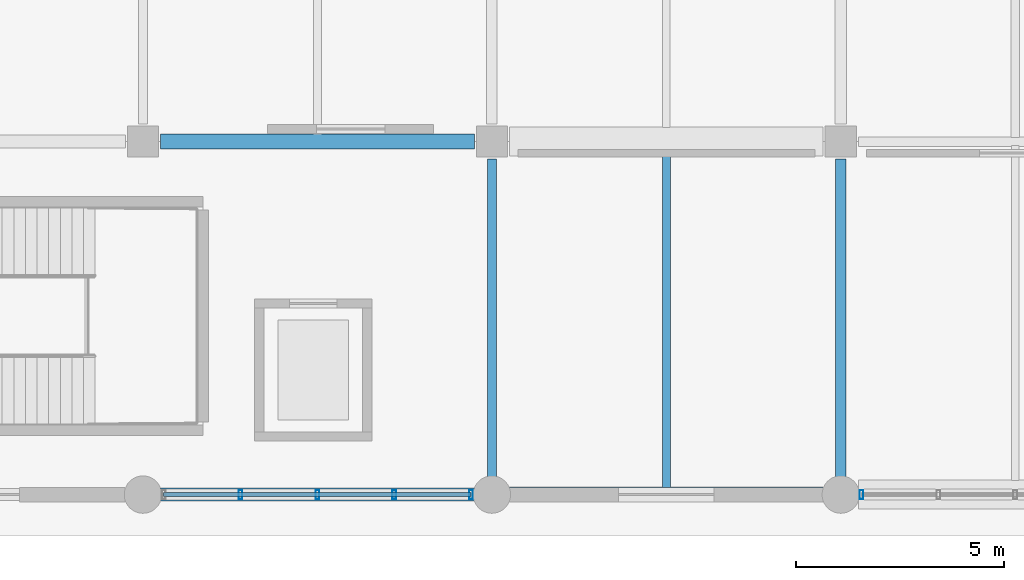
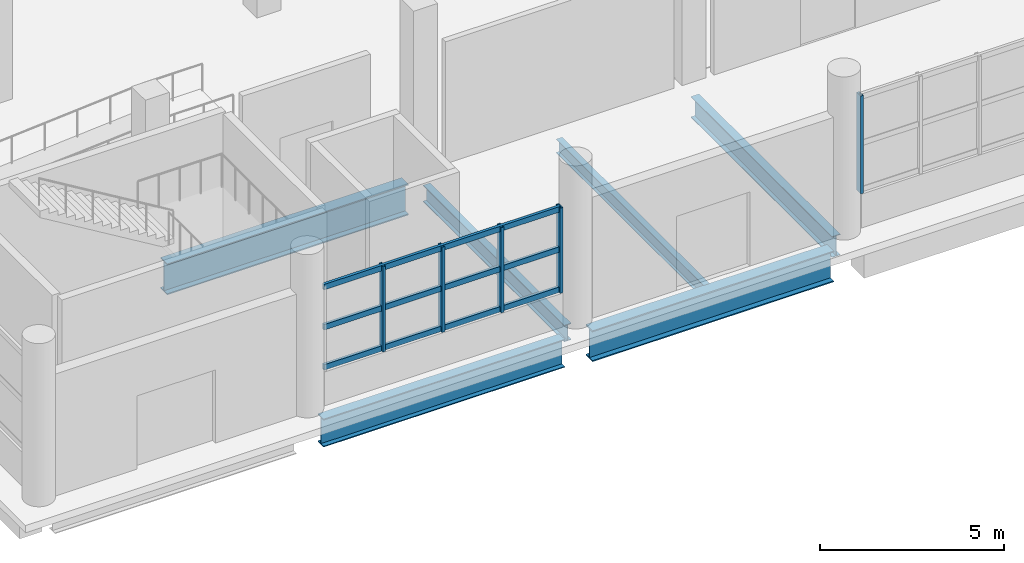
# One storey, part 47 of 107: 8 members, 6 beams, 2 elements without a shape of their own.
"""IFC4 building model written with IfcOpenShell, lengths in metres."""

from ifc_helpers import new_model, si_unit, direction, frame, origin, origin_2d, place, context, subcontext, project, spatial, hollow_rectangle, i_section, extrude, material, material_profile, profile_set, type_object, element, aggregate, save


model = new_model("IFC4")

# Units and contexts
model_context = context("Model", 3, precision=1e-05, world=origin(), true_north=direction((0.0, 1.0)))
body_context = subcontext(model_context, "Body", "Model", "MODEL_VIEW")
ifc_project = project(units=[si_unit("LENGTHUNIT", "METRE"), si_unit("AREAUNIT", "SQUARE_METRE"), si_unit("VOLUMEUNIT", "CUBIC_METRE"), si_unit("PLANEANGLEUNIT", "RADIAN"), si_unit("MASSUNIT", "GRAM", prefix="KILO")], contexts=[model_context])

# Site, building, storey
site_placement = place(None, origin())
site = spatial("IfcSite", under=ifc_project, at=site_placement, CompositionType="ELEMENT")
building_placement = place(site_placement, origin())
building = spatial("IfcBuilding", under=site, at=building_placement, Name="Solvento Point Concert Hall", CompositionType="ELEMENT")
storey_placement = place(building_placement, origin())
storey = spatial("IfcBuildingStorey", under=building, at=storey_placement, Name="L00", CompositionType="ELEMENT", Elevation=0.0)

# Beams
ifc_material_1 = material(Name="Structural Steel ASTM A992 Grade 50", Category="steel")
ifc_material_profile_1 = material_profile(ifc_material_1, i_section(OverallWidth=0.214111328125, OverallDepth=0.549072265625, WebThickness=0.0146484375, FlangeThickness=0.023681640625, at=origin_2d()), Name="W21X93")
ifc_profile_set_1 = profile_set([ifc_material_profile_1], Name="Structural Steel ASTM A992 Grade 50")
beam_type_1 = type_object("IfcBeamType", Name="Beam_W21X93", PredefinedType="BEAM", material=ifc_profile_set_1)
beam_1_placement = place(storey_placement, frame((166.800048828125, 0.424072265625, -0.6884765625), z_axis=(0.0, 1.0, 0.0), x_axis=(-1.0, 0.0, 0.0)))
element("IfcBeam", 1, at=beam_1_placement, inside=storey, type_object=beam_type_1, Name="Primary girder B-48 L00", PredefinedType="BEAM", context=body_context, shape_type="SweptSolid", body=[
    extrude(i_section(OverallWidth=0.214111328125, OverallDepth=0.549072265625, WebThickness=0.0146484375, FlangeThickness=0.023681640625, at=origin_2d()), origin(), (0.0, 0.0, 1.0), 7.65185546875),
])
ifc_material_2 = material(Name="Structural Steel ASTM A992 Grade 50", Category="steel")
ifc_material_profile_2 = material_profile(ifc_material_2, i_section(OverallWidth=0.256103515625, OverallDepth=0.693115234375, WebThickness=0.014404296875, FlangeThickness=0.023681640625, at=origin_2d()), Name="W27X114")
ifc_profile_set_2 = profile_set([ifc_material_profile_2], Name="Structural Steel ASTM A992 Grade 50")
beam_type_2 = type_object("IfcBeamType", Name="Girder_W27X114", PredefinedType="USERDEFINED", material=ifc_profile_set_2)
beam_2_placement = place(storey_placement, frame((175.199951171875, 0.424072265625, -0.760498046875), z_axis=(0.0, 1.0, 0.0), x_axis=(-1.0, 0.0, 0.0)))
element("IfcBeam", 2, at=beam_2_placement, inside=storey, type_object=beam_type_2, Name="Primary girder B-23 L00", ObjectType="GIRDER", PredefinedType="USERDEFINED", context=body_context, shape_type="SweptSolid", body=[
    extrude(i_section(OverallWidth=0.256103515625, OverallDepth=0.693115234375, WebThickness=0.014404296875, FlangeThickness=0.023681640625, at=origin_2d()), origin(), (0.0, 0.0, 1.0), 7.65185546875),
])
ifc_material_3 = material(Name="Structural Steel ASTM A992 Grade 50", Category="steel")
ifc_material_profile_3 = material_profile(ifc_material_3, i_section(OverallWidth=0.3076171875, OverallDepth=0.927001953125, WebThickness=0.019287109375, FlangeThickness=0.031982421875, at=origin_2d()), Name="W36X194")
ifc_profile_set_3 = profile_set([ifc_material_profile_3], Name="Structural Steel ASTM A992 Grade 50")
beam_type_3 = type_object("IfcBeamType", Name="Girder_W36X194", PredefinedType="USERDEFINED", material=ifc_profile_set_3)
beam_3_placement = place(storey_placement, frame((158.823974609375, 0.0, -0.87744140625), z_axis=(1.0, 0.0, 0.0), x_axis=(0.0, 1.0, 0.0)))
element("IfcBeam", 3, at=beam_3_placement, inside=storey, type_object=beam_type_3, Name="Primary girder B-61 L00", ObjectType="GIRDER", PredefinedType="USERDEFINED", context=body_context, shape_type="SweptSolid", body=[
    extrude(i_section(OverallWidth=0.3076171875, OverallDepth=0.927001953125, WebThickness=0.019287109375, FlangeThickness=0.031982421875, at=origin_2d()), origin(), (0.0, 0.0, 1.0), 7.552001953125),
])
ifc_material_4 = material(Name="Structural Steel ASTM A992 Grade 50", Category="steel")
ifc_material_profile_4 = material_profile(ifc_material_4, i_section(OverallWidth=0.361083984375, OverallDepth=1.02587890625, WebThickness=0.01904296875, FlangeThickness=0.0361328125, at=origin_2d()), Name="W40X249")
ifc_profile_set_4 = profile_set([ifc_material_profile_4], Name="Structural Steel ASTM A992 Grade 50")
beam_type_4 = type_object("IfcBeamType", Name="Girder_W40X249", PredefinedType="USERDEFINED", material=ifc_profile_set_4)
beam_4_placement = place(storey_placement, frame((167.22412109375, 0.0, -0.927001953125), z_axis=(1.0, 0.0, 0.0), x_axis=(0.0, 1.0, 0.0)))
element("IfcBeam", 4, at=beam_4_placement, inside=storey, type_object=beam_type_4, Name="Primary girder B-29 L00", ObjectType="GIRDER", PredefinedType="USERDEFINED", context=body_context, shape_type="SweptSolid", body=[
    extrude(i_section(OverallWidth=0.361083984375, OverallDepth=1.02587890625, WebThickness=0.01904296875, FlangeThickness=0.0361328125, at=origin_2d()), origin(), (0.0, 0.0, 1.0), 7.5517578125),
])
beam_5_placement = place(storey_placement, frame((158.823974609375, 8.5, -0.927001953125), z_axis=(1.0, 0.0, 0.0), x_axis=(0.0, 1.0, 0.0)))
element("IfcBeam", 5, at=beam_5_placement, inside=storey, type_object=beam_type_4, Name="Primary girder B-29 L00", ObjectType="GIRDER", PredefinedType="USERDEFINED", context=body_context, shape_type="SweptSolid", body=[
    extrude(i_section(OverallWidth=0.361083984375, OverallDepth=1.02587890625, WebThickness=0.01904296875, FlangeThickness=0.0361328125, at=origin_2d()), origin(), (0.0, 0.0, 1.0), 7.552001953125),
])
ifc_material_5 = material(Name="Structural Steel ASTM A992 Grade 50", Category="steel")
ifc_material_profile_5 = material_profile(ifc_material_5, i_section(OverallWidth=0.1904296875, OverallDepth=0.45703125, WebThickness=0.009033203125, FlangeThickness=0.014404296875, at=origin_2d()), Name="W18X50")
ifc_profile_set_5 = profile_set([ifc_material_profile_5], Name="Structural Steel ASTM A992 Grade 50")
beam_type_5 = type_object("IfcBeamType", Name="Joist_W18X50", PredefinedType="JOIST", material=ifc_profile_set_5)
beam_6_placement = place(storey_placement, frame((171.0, 0.16552734375, -0.642578125), z_axis=(0.0, 1.0, 0.0), x_axis=(-1.0, 0.0, 0.0)))
element("IfcBeam", 6, at=beam_6_placement, inside=storey, type_object=beam_type_5, Name="Secondary floor joist B-66 L00", PredefinedType="JOIST", context=body_context, shape_type="SweptSolid", body=[
    extrude(i_section(OverallWidth=0.1904296875, OverallDepth=0.45703125, WebThickness=0.009033203125, FlangeThickness=0.014404296875, at=origin_2d()), origin(), (0.0, 0.0, 1.0), 7.99951171875),
])

# Curtain wall, members
ifc_material_6 = material(Name="Anodized Bronze Aluminium", Category="aluminium")
curtain_wall_type = type_object("IfcCurtainWallType", Name="CurtainWall_CafeVeranda", PredefinedType="USERDEFINED", material=ifc_material_6)
curtain_wall_1_placement = place(storey_placement, origin())
curtain_wall_1 = element("IfcCurtainWall", 7, at=curtain_wall_1_placement, inside=storey, type_object=curtain_wall_type, Name="Unitised curtain wall CW-42 UCW-L00-049", ObjectType="UNITISED CURTAIN WALL", PredefinedType="USERDEFINED")
ifc_material_7 = material(Name="Anodized Bronze Aluminium", Category="aluminium")
ifc_material_profile_6 = material_profile(ifc_material_7, hollow_rectangle(XDim=0.090087890625, YDim=0.219970703125, WallThickness=0.00439453125, at=origin_2d()), Name="CW-MUL-90X220")
ifc_profile_set_6 = profile_set([ifc_material_profile_6], Name="Anodized Bronze Aluminium")
member_type_1 = type_object("IfcMemberType", Name="Mullion_90x220", PredefinedType="MULLION", material=ifc_profile_set_6)
member_1_placement = place(storey_placement, frame((160.75, 0.0, 1.1201171875), z_axis=(0.0, 0.0, 1.0), x_axis=(1.0, 0.0, 0.0)))
member_1 = element("IfcMember", 8, at=member_1_placement, type_object=member_type_1, Name="Curtain wall mullion ML-02", PredefinedType="MULLION", context=body_context, shape_type="SweptSolid", body=[
    extrude(hollow_rectangle(XDim=0.090087890625, YDim=0.219970703125, WallThickness=0.00439453125, at=origin_2d()), origin(), (0.0, 0.0, 1.0), 2.81787109375),
])
member_2_placement = place(storey_placement, frame((162.60009765625, 0.0, 1.1201171875), z_axis=(0.0, 0.0, 1.0), x_axis=(1.0, 0.0, 0.0)))
member_2 = element("IfcMember", 9, at=member_2_placement, type_object=member_type_1, Name="Curtain wall mullion ML-02", PredefinedType="MULLION", context=body_context, shape_type="SweptSolid", body=[
    extrude(hollow_rectangle(XDim=0.090087890625, YDim=0.219970703125, WallThickness=0.00439453125, at=origin_2d()), origin(), (0.0, 0.0, 1.0), 2.81787109375),
])
member_3_placement = place(storey_placement, frame((164.449951171875, 0.0, 1.1201171875), z_axis=(0.0, 0.0, 1.0), x_axis=(1.0, 0.0, 0.0)))
member_3 = element("IfcMember", 10, at=member_3_placement, type_object=member_type_1, Name="Curtain wall mullion ML-02", PredefinedType="MULLION", context=body_context, shape_type="SweptSolid", body=[
    extrude(hollow_rectangle(XDim=0.090087890625, YDim=0.219970703125, WallThickness=0.00439453125, at=origin_2d()), origin(), (0.0, 0.0, 1.0), 2.81787109375),
])
member_4_placement = place(storey_placement, frame((166.300048828125, 0.0, 1.1201171875), z_axis=(0.0, 0.0, 1.0), x_axis=(1.0, 0.0, 0.0)))
member_4 = element("IfcMember", 11, at=member_4_placement, type_object=member_type_1, Name="Curtain wall mullion ML-02", PredefinedType="MULLION", context=body_context, shape_type="SweptSolid", body=[
    extrude(hollow_rectangle(XDim=0.090087890625, YDim=0.219970703125, WallThickness=0.00439453125, at=origin_2d()), origin(), (0.0, 0.0, 1.0), 2.81787109375),
])

# Curtain wall, member
curtain_wall_2_placement = place(storey_placement, origin())
curtain_wall_2 = element("IfcCurtainWall", 12, at=curtain_wall_2_placement, inside=storey, type_object=curtain_wall_type, Name="Unitised curtain wall CW-42 UCW-L00-050", ObjectType="UNITISED CURTAIN WALL", PredefinedType="USERDEFINED")
member_5_placement = place(storey_placement, frame((175.699951171875, 0.0, 1.1201171875), z_axis=(0.0, 0.0, 1.0), x_axis=(1.0, 0.0, 0.0)))
member_5 = element("IfcMember", 13, at=member_5_placement, type_object=member_type_1, Name="Curtain wall mullion ML-02", PredefinedType="MULLION", context=body_context, shape_type="SweptSolid", body=[
    extrude(hollow_rectangle(XDim=0.090087890625, YDim=0.219970703125, WallThickness=0.00439453125, at=origin_2d()), origin(), (0.0, 0.0, 1.0), 3.23583984375),
])
aggregate(curtain_wall_2, [member_5])

# Member
ifc_material_8 = material(Name="Anodized Bronze Aluminium", Category="aluminium")
ifc_material_profile_7 = material_profile(ifc_material_8, hollow_rectangle(XDim=0.090087890625, YDim=0.179931640625, WallThickness=0.00439453125, at=origin_2d()), Name="CW-TRN-90X180")
ifc_profile_set_7 = profile_set([ifc_material_profile_7], Name="Anodized Bronze Aluminium")
member_type_2 = type_object("IfcMemberType", Name="Transom_90x180", PredefinedType="USERDEFINED", material=ifc_profile_set_7)
member_6_placement = place(storey_placement, frame((158.89990234375, 0.0, 1.199951171875), z_axis=(1.0, 0.0, 0.0), x_axis=(0.0, 1.0, 0.0)))
member_6 = element("IfcMember", 14, at=member_6_placement, type_object=member_type_2, Name="Curtain wall transom TR-02", ObjectType="TRANSOM", PredefinedType="USERDEFINED", context=body_context, shape_type="SweptSolid", body=[
    extrude(hollow_rectangle(XDim=0.090087890625, YDim=0.179931640625, WallThickness=0.00439453125, at=origin_2d()), origin(), (0.0, 0.0, 1.0), 7.400146484375),
])

member_7_placement = place(storey_placement, frame((158.89990234375, 0.0, 2.529052734375), z_axis=(1.0, 0.0, 0.0), x_axis=(0.0, 1.0, 0.0)))
member_7 = element("IfcMember", 15, at=member_7_placement, type_object=member_type_2, Name="Curtain wall transom TR-02", ObjectType="TRANSOM", PredefinedType="USERDEFINED", context=body_context, shape_type="SweptSolid", body=[
    extrude(hollow_rectangle(XDim=0.090087890625, YDim=0.179931640625, WallThickness=0.00439453125, at=origin_2d()), origin(), (0.0, 0.0, 1.0), 7.400146484375),
])

member_8_placement = place(storey_placement, frame((158.89990234375, 0.0, 3.85791015625), z_axis=(1.0, 0.0, 0.0), x_axis=(0.0, 1.0, 0.0)))
member_8 = element("IfcMember", 16, at=member_8_placement, type_object=member_type_2, Name="Curtain wall transom TR-02", ObjectType="TRANSOM", PredefinedType="USERDEFINED", context=body_context, shape_type="SweptSolid", body=[
    extrude(hollow_rectangle(XDim=0.090087890625, YDim=0.179931640625, WallThickness=0.00439453125, at=origin_2d()), origin(), (0.0, 0.0, 1.0), 7.400146484375),
])

aggregate(curtain_wall_1, [member_1, member_2, member_3, member_4, member_6, member_7, member_8])

save(model, "model.ifc")
